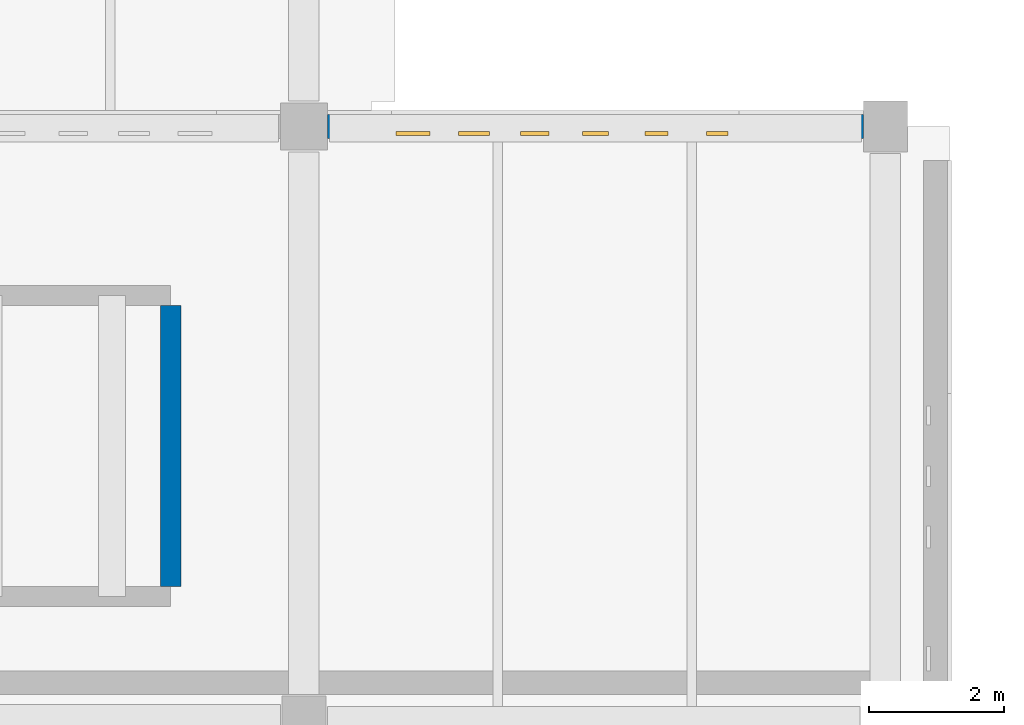
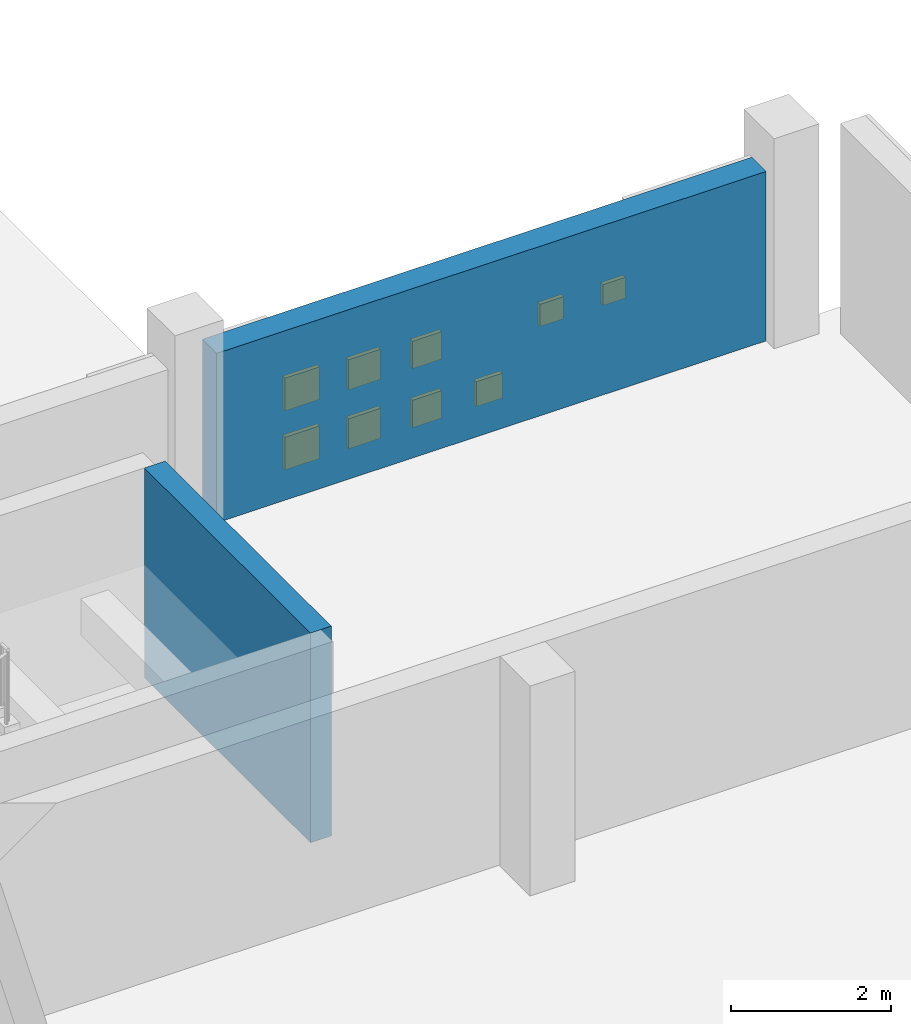
# One storey, part 44 of 55: 9 windows, 2 walls, 9 openings.
"""IFC4 building model written with IfcOpenShell, lengths in metres."""

from ifc_helpers import new_model, si_unit, direction, frame, frame_2d, origin, place, context, subcontext, project, spatial, rectangle, extrude, material, layer, layer_set, type_object, element, fill, save


model = new_model("IFC4")

# Units and contexts
model_context = context("Model", 3, precision=1e-05, world=origin(), true_north=direction((0.0, 1.0)))
body_context = subcontext(model_context, "Body", "Model", "MODEL_VIEW")
ifc_project = project(units=[si_unit("LENGTHUNIT", "METRE"), si_unit("AREAUNIT", "SQUARE_METRE"), si_unit("VOLUMEUNIT", "CUBIC_METRE"), si_unit("PLANEANGLEUNIT", "RADIAN"), si_unit("MASSUNIT", "GRAM", prefix="KILO")], contexts=[model_context])

# Site, building, storey
site_placement = place(None, origin())
site = spatial("IfcSite", under=ifc_project, at=site_placement, CompositionType="ELEMENT")
building_placement = place(site_placement, origin())
building = spatial("IfcBuilding", under=site, at=building_placement, Name="Varnakota Cinema and Media Centre", CompositionType="ELEMENT")
storey_placement = place(building_placement, frame((0.0, 0.0, 15.60009765625)))
storey = spatial("IfcBuildingStorey", under=building, at=storey_placement, Name="L04", CompositionType="ELEMENT", Elevation=15.60009765625)

# Wall
ifc_material_1 = material(Name="Concrete M40", Category="concrete")
ifc_layer_1 = layer(ifc_material_1, 0.300048828125)
ifc_layer_set_1 = layer_set([ifc_layer_1], Name="Concrete M40")
wall_type_1 = type_object("IfcWallType", Name="W-CORE-300", PredefinedType="SHEAR", material=ifc_layer_set_1)
wall_1_placement = place(storey_placement, frame((32.429931640625, 32.550048828125, 0.0), z_axis=(0.0, 0.0, 1.0), x_axis=(0.0, -1.0, 0.0)))
element("IfcWall", 1, at=wall_1_placement, inside=storey, type_object=wall_type_1, Name="L04 CWALL-ST-02-L04 E wall", PredefinedType="SHEAR", context=body_context, shape_type="SweptSolid", body=[
    extrude(rectangle(XDim=4.150146484375, YDim=0.300048828125, at=frame_2d((2.0751953125, 0.0))), origin(), (0.0, 0.0, 1.0), 3.199951171875),
])

# Wall, openings, windows
ifc_material_2 = material(Name="Pale Tandur limestone cladding", Category="masonry")
ifc_layer_2 = layer(ifc_material_2, 0.360107421875)
ifc_layer_set_2 = layer_set([ifc_layer_2], Name="Pale Tandur limestone cladding")
wall_type_2 = type_object("IfcWallType", Name="W-EXT-TANDUR-360", PredefinedType="SOLIDWALL", material=ifc_layer_set_2)
wall_2_placement = place(storey_placement, frame((34.75, 35.199951171875, 0.0), z_axis=(0.0, 0.0, 1.0), x_axis=(1.0, 0.0, 0.0)))
wall_2 = element("IfcWall", 2, at=wall_2_placement, inside=storey, type_object=wall_type_2, Name="L04 V4 pale Tandur stone monolith wall V4-N-02", PredefinedType="SOLIDWALL", context=body_context, shape_type="SweptSolid", body=[
    extrude(rectangle(XDim=7.925048828125, YDim=0.360107421875, at=frame_2d((3.96240234375, 0.0))), origin(), (0.0, 0.0, 1.0), 2.5849609375),
])
opening_1_placement = place(wall_2_placement, frame((1.012451171875, 0.0, 0.419921875)))
opening_1 = element("IfcOpeningElement", 3, at=opening_1_placement, cuts=wall_2, Name="Opening WP04", PredefinedType="OPENING", context=body_context, shape_type="SweptSolid", body=[
    extrude(rectangle(XDim=0.5, YDim=0.5, at=frame_2d((0.25, 0.25))), frame((0.0, 0.18017578125, 0.0), z_axis=(0.0, -1.0, 0.0), x_axis=(1.0, 0.0, 0.0)), (0.0, 0.0, 1.0), 0.360107421875),
])
opening_2_placement = place(wall_2_placement, frame((1.012451171875, 0.0, 1.320068359375)))
opening_2 = element("IfcOpeningElement", 4, at=opening_2_placement, cuts=wall_2, Name="Opening WP04", PredefinedType="OPENING", context=body_context, shape_type="SweptSolid", body=[
    extrude(rectangle(XDim=0.5, YDim=0.5, at=frame_2d((0.25, 0.25))), frame((0.0, 0.18017578125, 0.0), z_axis=(0.0, -1.0, 0.0), x_axis=(1.0, 0.0, 0.0)), (0.0, 0.0, 1.0), 0.360107421875),
])
opening_3_placement = place(wall_2_placement, frame((1.9326171875, 0.0, 0.419921875)))
opening_3 = element("IfcOpeningElement", 5, at=opening_3_placement, cuts=wall_2, Name="Opening WP06", PredefinedType="OPENING", context=body_context, shape_type="SweptSolid", body=[
    extrude(rectangle(XDim=0.4599609375, YDim=0.4599609375, at=frame_2d((0.22998046875, 0.22998046875))), frame((0.0, 0.18017578125, 0.0), z_axis=(0.0, -1.0, 0.0), x_axis=(1.0, 0.0, 0.0)), (0.0, 0.0, 1.0), 0.360107421875),
])
opening_4_placement = place(wall_2_placement, frame((1.9326171875, 0.0, 1.320068359375)))
opening_4 = element("IfcOpeningElement", 6, at=opening_4_placement, cuts=wall_2, Name="Opening WP06", PredefinedType="OPENING", context=body_context, shape_type="SweptSolid", body=[
    extrude(rectangle(XDim=0.4599609375, YDim=0.4599609375, at=frame_2d((0.22998046875, 0.22998046875))), frame((0.0, 0.18017578125, 0.0), z_axis=(0.0, -1.0, 0.0), x_axis=(1.0, 0.0, 0.0)), (0.0, 0.0, 1.0), 0.360107421875),
])
opening_5_placement = place(wall_2_placement, frame((2.8525390625, 0.0, 0.419921875)))
opening_5 = element("IfcOpeningElement", 7, at=opening_5_placement, cuts=wall_2, Name="Opening WP08", PredefinedType="OPENING", context=body_context, shape_type="SweptSolid", body=[
    extrude(rectangle(XDim=0.419921875, YDim=0.419921875, at=frame_2d((0.2099609375, 0.2099609375))), frame((0.0, 0.18017578125, 0.0), z_axis=(0.0, -1.0, 0.0), x_axis=(1.0, 0.0, 0.0)), (0.0, 0.0, 1.0), 0.360107421875),
])
opening_6_placement = place(wall_2_placement, frame((2.8525390625, 0.0, 1.320068359375)))
opening_6 = element("IfcOpeningElement", 8, at=opening_6_placement, cuts=wall_2, Name="Opening WP08", PredefinedType="OPENING", context=body_context, shape_type="SweptSolid", body=[
    extrude(rectangle(XDim=0.419921875, YDim=0.419921875, at=frame_2d((0.2099609375, 0.2099609375))), frame((0.0, 0.18017578125, 0.0), z_axis=(0.0, -1.0, 0.0), x_axis=(1.0, 0.0, 0.0)), (0.0, 0.0, 1.0), 0.360107421875),
])
opening_7_placement = place(wall_2_placement, frame((3.7724609375, 0.0, 0.419921875)))
opening_7 = element("IfcOpeningElement", 9, at=opening_7_placement, cuts=wall_2, Name="Opening WP10", PredefinedType="OPENING", context=body_context, shape_type="SweptSolid", body=[
    extrude(rectangle(XDim=0.3798828125, YDim=0.3798828125, at=frame_2d((0.18994140625, 0.18994140625))), frame((0.0, 0.18017578125, 0.0), z_axis=(0.0, -1.0, 0.0), x_axis=(1.0, 0.0, 0.0)), (0.0, 0.0, 1.0), 0.360107421875),
])
opening_8_placement = place(wall_2_placement, frame((4.6923828125, 0.0, 1.320068359375)))
opening_8 = element("IfcOpeningElement", 10, at=opening_8_placement, cuts=wall_2, Name="Opening WP12", PredefinedType="OPENING", context=body_context, shape_type="SweptSolid", body=[
    extrude(rectangle(XDim=0.340087890625, YDim=0.340087890625, at=frame_2d((0.169921875, 0.169921875))), frame((0.0, 0.18017578125, 0.0), z_axis=(0.0, -1.0, 0.0), x_axis=(1.0, 0.0, 0.0)), (0.0, 0.0, 1.0), 0.360107421875),
])
opening_9_placement = place(wall_2_placement, frame((5.6025390625, 0.0, 1.320068359375)))
opening_9 = element("IfcOpeningElement", 11, at=opening_9_placement, cuts=wall_2, Name="Opening WP13", PredefinedType="OPENING", context=body_context, shape_type="SweptSolid", body=[
    extrude(rectangle(XDim=0.320068359375, YDim=0.320068359375, at=frame_2d((0.16015625, 0.16015625))), frame((0.0, 0.18017578125, 0.0), z_axis=(0.0, -1.0, 0.0), x_axis=(1.0, 0.0, 0.0)), (0.0, 0.0, 1.0), 0.360107421875),
])
ifc_material_3 = material(Name="Laminated solar-control double glazing", Category="glass")
window_type_1 = type_object("IfcWindowType", Name="WIN-PIERCE-04", PartitioningType="SINGLE_PANEL", PredefinedType="WINDOW", material=ifc_material_3)
window_1_placement = place(opening_1_placement, origin())
window_1 = element("IfcWindow", 12, at=window_1_placement, inside=storey, type_object=window_type_1, Name="L04 window WP04", OverallHeight=0.5, OverallWidth=0.5, PartitioningType="SINGLE_PANEL", PredefinedType="WINDOW", context=body_context, shape_type="SweptSolid", body=[
    extrude(rectangle(XDim=0.5, YDim=0.5, at=frame_2d((0.25, 0.25))), frame((0.0, -0.070068359375, 0.0), z_axis=(0.0, -1.0, 0.0), x_axis=(1.0, 0.0, 0.0)), (0.0, 0.0, 1.0), 0.06005859375),
])
fill(opening_1, window_1)
window_2_placement = place(opening_2_placement, origin())
window_2 = element("IfcWindow", 13, at=window_2_placement, inside=storey, type_object=window_type_1, Name="L04 window WP04", OverallHeight=0.5, OverallWidth=0.5, PartitioningType="SINGLE_PANEL", PredefinedType="WINDOW", context=body_context, shape_type="SweptSolid", body=[
    extrude(rectangle(XDim=0.5, YDim=0.5, at=frame_2d((0.25, 0.25))), frame((0.0, -0.070068359375, 0.0), z_axis=(0.0, -1.0, 0.0), x_axis=(1.0, 0.0, 0.0)), (0.0, 0.0, 1.0), 0.06005859375),
])
fill(opening_2, window_2)
ifc_material_4 = material(Name="Laminated solar-control double glazing", Category="glass")
window_type_2 = type_object("IfcWindowType", Name="WIN-PIERCE-06", PartitioningType="SINGLE_PANEL", PredefinedType="WINDOW", material=ifc_material_4)
window_3_placement = place(opening_3_placement, origin())
window_3 = element("IfcWindow", 14, at=window_3_placement, inside=storey, type_object=window_type_2, Name="L04 window WP06", OverallHeight=0.4599609375, OverallWidth=0.4599609375, PartitioningType="SINGLE_PANEL", PredefinedType="WINDOW", context=body_context, shape_type="SweptSolid", body=[
    extrude(rectangle(XDim=0.4599609375, YDim=0.4599609375, at=frame_2d((0.22998046875, 0.22998046875))), frame((0.0, -0.070068359375, 0.0), z_axis=(0.0, -1.0, 0.0), x_axis=(1.0, 0.0, 0.0)), (0.0, 0.0, 1.0), 0.06005859375),
])
fill(opening_3, window_3)
window_4_placement = place(opening_4_placement, origin())
window_4 = element("IfcWindow", 15, at=window_4_placement, inside=storey, type_object=window_type_2, Name="L04 window WP06", OverallHeight=0.4599609375, OverallWidth=0.4599609375, PartitioningType="SINGLE_PANEL", PredefinedType="WINDOW", context=body_context, shape_type="SweptSolid", body=[
    extrude(rectangle(XDim=0.4599609375, YDim=0.4599609375, at=frame_2d((0.22998046875, 0.22998046875))), frame((0.0, -0.070068359375, 0.0), z_axis=(0.0, -1.0, 0.0), x_axis=(1.0, 0.0, 0.0)), (0.0, 0.0, 1.0), 0.06005859375),
])
fill(opening_4, window_4)
ifc_material_5 = material(Name="Laminated solar-control double glazing", Category="glass")
window_type_3 = type_object("IfcWindowType", Name="WIN-PIERCE-08", PartitioningType="SINGLE_PANEL", PredefinedType="WINDOW", material=ifc_material_5)
window_5_placement = place(opening_5_placement, origin())
window_5 = element("IfcWindow", 16, at=window_5_placement, inside=storey, type_object=window_type_3, Name="L04 window WP08", OverallHeight=0.419921875, OverallWidth=0.419921875, PartitioningType="SINGLE_PANEL", PredefinedType="WINDOW", context=body_context, shape_type="SweptSolid", body=[
    extrude(rectangle(XDim=0.419921875, YDim=0.419921875, at=frame_2d((0.2099609375, 0.2099609375))), frame((0.0, -0.070068359375, 0.0), z_axis=(0.0, -1.0, 0.0), x_axis=(1.0, 0.0, 0.0)), (0.0, 0.0, 1.0), 0.06005859375),
])
fill(opening_5, window_5)
window_6_placement = place(opening_6_placement, origin())
window_6 = element("IfcWindow", 17, at=window_6_placement, inside=storey, type_object=window_type_3, Name="L04 window WP08", OverallHeight=0.419921875, OverallWidth=0.419921875, PartitioningType="SINGLE_PANEL", PredefinedType="WINDOW", context=body_context, shape_type="SweptSolid", body=[
    extrude(rectangle(XDim=0.419921875, YDim=0.419921875, at=frame_2d((0.2099609375, 0.2099609375))), frame((0.0, -0.070068359375, 0.0), z_axis=(0.0, -1.0, 0.0), x_axis=(1.0, 0.0, 0.0)), (0.0, 0.0, 1.0), 0.06005859375),
])
fill(opening_6, window_6)
ifc_material_6 = material(Name="Laminated solar-control double glazing", Category="glass")
window_type_4 = type_object("IfcWindowType", Name="WIN-PIERCE-10", PartitioningType="SINGLE_PANEL", PredefinedType="WINDOW", material=ifc_material_6)
window_7_placement = place(opening_7_placement, origin())
window_7 = element("IfcWindow", 18, at=window_7_placement, inside=storey, type_object=window_type_4, Name="L04 window WP10", OverallHeight=0.3798828125, OverallWidth=0.3798828125, PartitioningType="SINGLE_PANEL", PredefinedType="WINDOW", context=body_context, shape_type="SweptSolid", body=[
    extrude(rectangle(XDim=0.3798828125, YDim=0.3798828125, at=frame_2d((0.18994140625, 0.18994140625))), frame((0.0, -0.070068359375, 0.0), z_axis=(0.0, -1.0, 0.0), x_axis=(1.0, 0.0, 0.0)), (0.0, 0.0, 1.0), 0.06005859375),
])
fill(opening_7, window_7)
ifc_material_7 = material(Name="Laminated solar-control double glazing", Category="glass")
window_type_5 = type_object("IfcWindowType", Name="WIN-PIERCE-12", PartitioningType="SINGLE_PANEL", PredefinedType="WINDOW", material=ifc_material_7)
window_8_placement = place(opening_8_placement, origin())
window_8 = element("IfcWindow", 19, at=window_8_placement, inside=storey, type_object=window_type_5, Name="L04 window WP12", OverallHeight=0.340087890625, OverallWidth=0.340087890625, PartitioningType="SINGLE_PANEL", PredefinedType="WINDOW", context=body_context, shape_type="SweptSolid", body=[
    extrude(rectangle(XDim=0.340087890625, YDim=0.340087890625, at=frame_2d((0.169921875, 0.169921875))), frame((0.0, -0.070068359375, 0.0), z_axis=(0.0, -1.0, 0.0), x_axis=(1.0, 0.0, 0.0)), (0.0, 0.0, 1.0), 0.06005859375),
])
fill(opening_8, window_8)
ifc_material_8 = material(Name="Laminated solar-control double glazing", Category="glass")
window_type_6 = type_object("IfcWindowType", Name="WIN-PIERCE-13", PartitioningType="SINGLE_PANEL", PredefinedType="WINDOW", material=ifc_material_8)
window_9_placement = place(opening_9_placement, origin())
window_9 = element("IfcWindow", 20, at=window_9_placement, inside=storey, type_object=window_type_6, Name="L04 window WP13", OverallHeight=0.320068359375, OverallWidth=0.320068359375, PartitioningType="SINGLE_PANEL", PredefinedType="WINDOW", context=body_context, shape_type="SweptSolid", body=[
    extrude(rectangle(XDim=0.320068359375, YDim=0.320068359375, at=frame_2d((0.16015625, 0.16015625))), frame((0.0, -0.070068359375, 0.0), z_axis=(0.0, -1.0, 0.0), x_axis=(1.0, 0.0, 0.0)), (0.0, 0.0, 1.0), 0.06005859375),
])
fill(opening_9, window_9)

save(model, "model.ifc")
